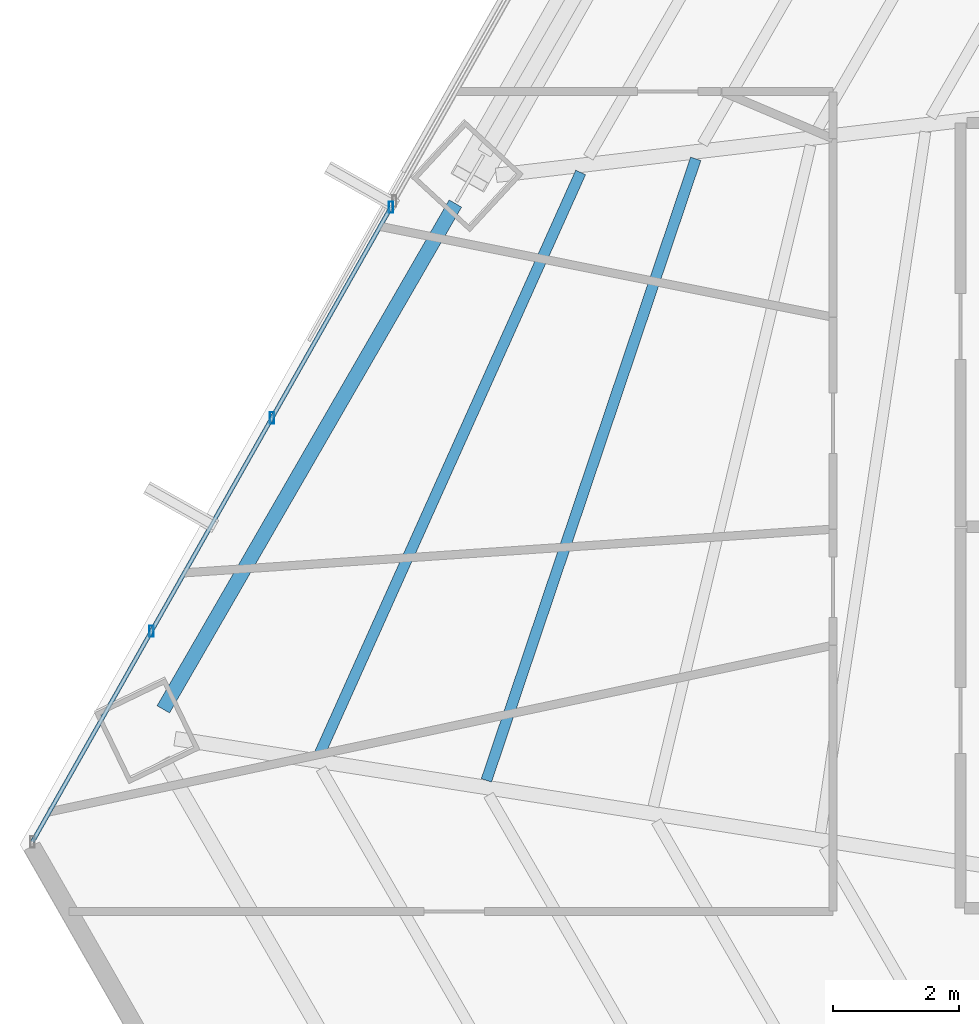
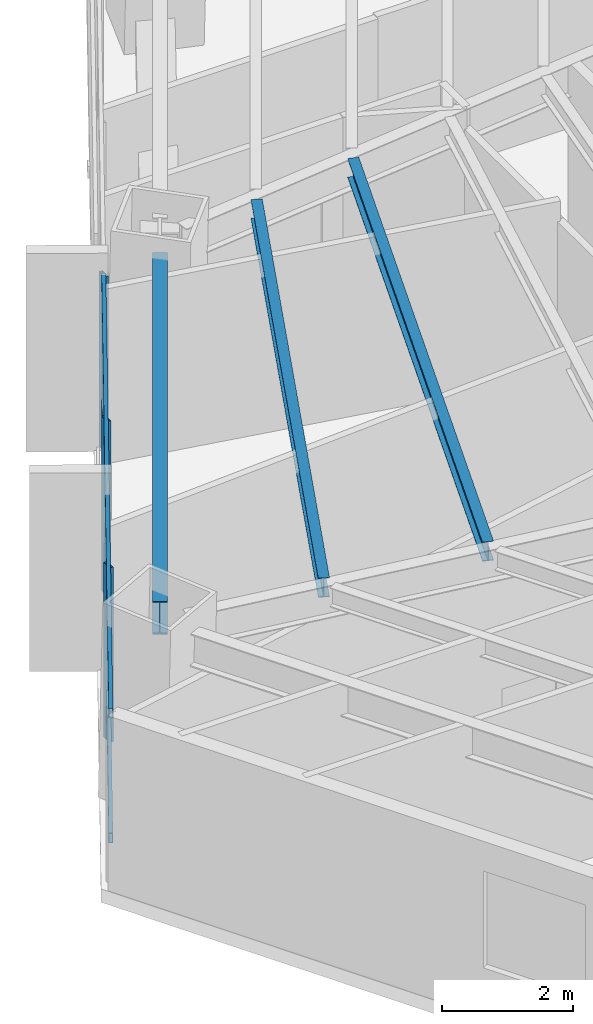
# One storey, part 11 of 39: 5 members, 3 beams, 1 element without a shape of its own.
"""IFC4 building model written with IfcOpenShell, lengths in metres."""

from ifc_helpers import new_model, si_unit, direction, frame, origin, origin_2d, place, context, subcontext, project, spatial, hollow_rectangle, i_section, extrude, source, transform, mapped, material, material_profile, profile_set, type_object, type_shapes, element, aggregate, save


model = new_model("IFC4")

# Units and contexts
model_context = context("Model", 3, precision=1e-05, world=origin(), true_north=direction((0.0, 1.0)))
body_context = subcontext(model_context, "Body", "Model", "MODEL_VIEW")
ifc_project = project(units=[si_unit("LENGTHUNIT", "METRE"), si_unit("AREAUNIT", "SQUARE_METRE"), si_unit("VOLUMEUNIT", "CUBIC_METRE"), si_unit("PLANEANGLEUNIT", "RADIAN"), si_unit("MASSUNIT", "GRAM", prefix="KILO")], contexts=[model_context])

# Site, building, storey
site_placement = place(None, origin())
site = spatial("IfcSite", under=ifc_project, at=site_placement, CompositionType="ELEMENT")
building_placement = place(site_placement, origin())
building = spatial("IfcBuilding", under=site, at=building_placement, Name="Caelisora Broadcast Tower", CompositionType="ELEMENT")
storey_placement = place(building_placement, frame((0.0, 0.0, 71.39990234375)))
storey = spatial("IfcBuildingStorey", under=building, at=storey_placement, Name="L18", CompositionType="ELEMENT", Elevation=71.39990234375)

# Beams
ifc_material_1 = material(Name="Steel Grade 350 (AS/NZS 3679.1)", Category="steel")
ifc_material_profile_1 = material_profile(ifc_material_1, i_section(OverallWidth=0.22900390625, OverallDepth=0.611572265625, WebThickness=0.011962890625, FlangeThickness=0.01953125, at=origin_2d()), Name="Steel Grade 350 (AS/NZS 3679.1)")
ifc_profile_set_1 = profile_set([ifc_material_profile_1], Name="Steel Grade 350 (AS/NZS 3679.1)")
beam_type_1 = type_object("IfcBeamType", Name="PG03", PredefinedType="BEAM", material=ifc_profile_set_1)
shared_shape_1 = source(origin(), body_context, "Body", "SweptSolid", [
    extrude(i_section(OverallWidth=0.22900390625, OverallDepth=0.611572265625, WebThickness=0.011962890625, FlangeThickness=0.01953125, at=origin_2d()), origin(), (0.0, 0.0, 1.0), 9.260986328125),
])
type_shapes(beam_type_1, [shared_shape_1])
beam_1_placement = place(storey_placement, frame((19.410888671875, 28.3232421875, 2.9443359375), z_axis=(-0.499989447885, -0.866031495965, 0.0), x_axis=(0.866031495965, -0.499989447885, 0.0)))
element("IfcBeam", 1, at=beam_1_placement, inside=storey, type_object=beam_type_1, Name="L18 beam PG03", PredefinedType="BEAM", context=body_context, shape_type="MappedRepresentation", body=[
    mapped(shared_shape_1, transform((0.0, 0.0, 0.0), scale=1.0)),
])
ifc_material_profile_2 = material_profile(ifc_material_1, i_section(OverallWidth=0.172119140625, OverallDepth=0.358642578125, WebThickness=0.008056640625, FlangeThickness=0.012939453125, at=origin_2d()), Name="Steel Grade 350 (AS/NZS 3679.1)")
ifc_profile_set_2 = profile_set([ifc_material_profile_2], Name="Steel Grade 350 (AS/NZS 3679.1)")
beam_type_2 = type_object("IfcBeamType", Name="SB02", PredefinedType="JOIST", material=ifc_profile_set_2)
shared_shape_2 = source(origin(), body_context, "Body", "SweptSolid", [
    extrude(i_section(OverallWidth=0.172119140625, OverallDepth=0.358642578125, WebThickness=0.008056640625, FlangeThickness=0.012939453125, at=origin_2d()), origin(), (0.0, 0.0, 1.0), 10.398193359375),
])
beam_2_placement = place(storey_placement, frame((23.221435546875, 29.031005859375, 3.07080078125), z_axis=(-0.319149394388, -0.947704418087, 0.0), x_axis=(0.947704418087, -0.319149394388, 0.0)))
element("IfcBeam", 2, at=beam_2_placement, inside=storey, type_object=beam_type_2, Name="L18 beam SB02", PredefinedType="JOIST", context=body_context, shape_type="MappedRepresentation", body=[
    mapped(shared_shape_2, transform((0.0, 0.0, 0.0), scale=1.0)),
])
shared_shape_3 = source(origin(), body_context, "Body", "SweptSolid", [
    extrude(i_section(OverallWidth=0.172119140625, OverallDepth=0.358642578125, WebThickness=0.008056640625, FlangeThickness=0.012939453125, at=origin_2d()), origin(), (0.0, 0.0, 1.0), 10.111083984375),
])
type_shapes(beam_type_2, [shared_shape_2, shared_shape_3])
beam_3_placement = place(storey_placement, frame((21.397705078125, 28.816162109375, 3.07080078125), z_axis=(-0.40963264281, -0.912250567522, 0.0), x_axis=(0.912250567522, -0.40963264281, 0.0)))
element("IfcBeam", 3, at=beam_3_placement, inside=storey, type_object=beam_type_2, Name="L18 beam SB02", PredefinedType="JOIST", context=body_context, shape_type="MappedRepresentation", body=[
    mapped(shared_shape_3, transform((0.0, 0.0, 0.0), scale=1.0)),
])

# Curtain wall, members
ifc_material_2 = material(Name="Unitised Aluminium and Low-E Glass Curtain Wall", Category="glass")
curtain_wall_type = type_object("IfcCurtainWallType", Name="CW-Z1", PredefinedType="NOTDEFINED", material=ifc_material_2)
curtain_wall_placement = place(storey_placement, origin())
curtain_wall = element("IfcCurtainWall", 4, at=curtain_wall_placement, inside=storey, type_object=curtain_wall_type, Name="L18 curtain wall CW-Z1", PredefinedType="NOTDEFINED")
ifc_material_3 = material(Name="Aluminium 6063-T6 Anodised Terracotta Bronze", Category="aluminium")
ifc_material_profile_3 = material_profile(ifc_material_3, hollow_rectangle(XDim=0.06494140625, YDim=0.179931640625, WallThickness=0.00341796875, at=origin_2d()), Name="Aluminium 6063-T6 Anodised Terracotta Bronze")
ifc_profile_set_3 = profile_set([ifc_material_profile_3], Name="Aluminium 6063-T6 Anodised Terracotta Bronze")
member_type_1 = type_object("IfcMemberType", Name="CWM-02", PredefinedType="MULLION", material=ifc_profile_set_3)
shared_shape_4 = source(origin(), body_context, "Body", "SweptSolid", [
    extrude(hollow_rectangle(XDim=0.06494140625, YDim=0.179931640625, WallThickness=0.00341796875, at=origin_2d()), origin(), (0.0, 0.0, 1.0), 3.25),
])
type_shapes(member_type_1, [shared_shape_4])
member_1_placement = place(storey_placement, frame((14.59228515625, 21.5419921875, 0.0), z_axis=(0.0, 0.0, 1.0), x_axis=(1.0, 0.0, 0.0)))
member_1 = element("IfcMember", 5, at=member_1_placement, type_object=member_type_1, Name="L18-CW-B09 mullion #1", PredefinedType="MULLION", context=body_context, shape_type="MappedRepresentation", body=[
    mapped(shared_shape_4, transform((0.0, 0.0, 0.0), scale=1.0)),
])
member_2_placement = place(storey_placement, frame((16.503662109375, 24.92529296875, 0.0), z_axis=(0.0, 0.0, 1.0), x_axis=(1.0, 0.0, 0.0)))
member_2 = element("IfcMember", 6, at=member_2_placement, type_object=member_type_1, Name="L18-CW-B09 mullion #2", PredefinedType="MULLION", context=body_context, shape_type="MappedRepresentation", body=[
    mapped(shared_shape_4, transform((0.0, 0.0, 0.0), scale=1.0)),
])
member_3_placement = place(storey_placement, frame((18.390380859375, 28.2646484375, 0.0), z_axis=(0.0, 0.0, 1.0), x_axis=(1.0, 0.0, 0.0)))
member_3 = element("IfcMember", 7, at=member_3_placement, type_object=member_type_1, Name="L18-CW-B09 mullion #3", PredefinedType="MULLION", context=body_context, shape_type="MappedRepresentation", body=[
    mapped(shared_shape_4, transform((0.0, 0.0, 0.0), scale=1.0)),
])
ifc_material_profile_4 = material_profile(ifc_material_3, hollow_rectangle(XDim=0.06494140625, YDim=0.179931640625, WallThickness=0.00341796875, at=origin_2d()), Name="Aluminium 6063-T6 Anodised Terracotta Bronze")
ifc_profile_set_4 = profile_set([ifc_material_profile_4], Name="Aluminium 6063-T6 Anodised Terracotta Bronze")
member_type_2 = type_object("IfcMemberType", Name="CWT-01", PredefinedType="USERDEFINED", material=ifc_profile_set_4)
shared_shape_5 = source(origin(), body_context, "Body", "SweptSolid", [
    extrude(hollow_rectangle(XDim=0.06494140625, YDim=0.179931640625, WallThickness=0.00341796875, at=origin_2d()), origin(), (0.0, 0.0, 1.0), 11.55712890625),
])
type_shapes(member_type_2, [shared_shape_5])
member_4_placement = place(storey_placement, frame((12.70556640625, 18.202392578125, 0.85009765625), z_axis=(0.491890186418, 0.870657248581, 0.0), x_axis=(-0.870657248581, 0.491890186418, 0.0)))
member_4 = element("IfcMember", 8, at=member_4_placement, type_object=member_type_2, Name="L18-CW-B09 transom #1", ObjectType="TRANSOM", PredefinedType="USERDEFINED", context=body_context, shape_type="MappedRepresentation", body=[
    mapped(shared_shape_5, transform((0.0, 0.0, 0.0), scale=1.0)),
])
member_5_placement = place(storey_placement, frame((12.70556640625, 18.202392578125, 3.170166015625), z_axis=(0.491890186418, 0.870657248581, 0.0), x_axis=(-0.870657248581, 0.491890186418, 0.0)))
member_5 = element("IfcMember", 9, at=member_5_placement, type_object=member_type_2, Name="L18-CW-B09 transom #2", ObjectType="TRANSOM", PredefinedType="USERDEFINED", context=body_context, shape_type="MappedRepresentation", body=[
    mapped(shared_shape_5, transform((0.0, 0.0, 0.0), scale=1.0)),
])
aggregate(curtain_wall, [member_1, member_2, member_3, member_4, member_5])

save(model, "model.ifc")
